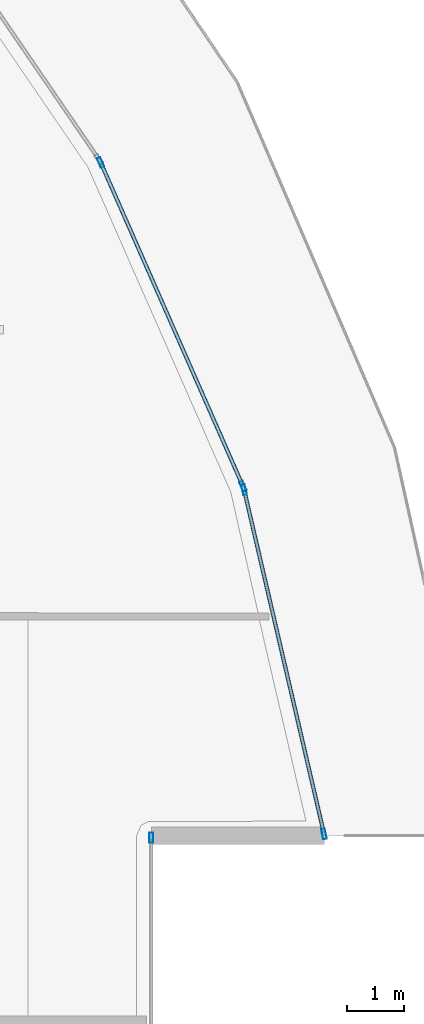
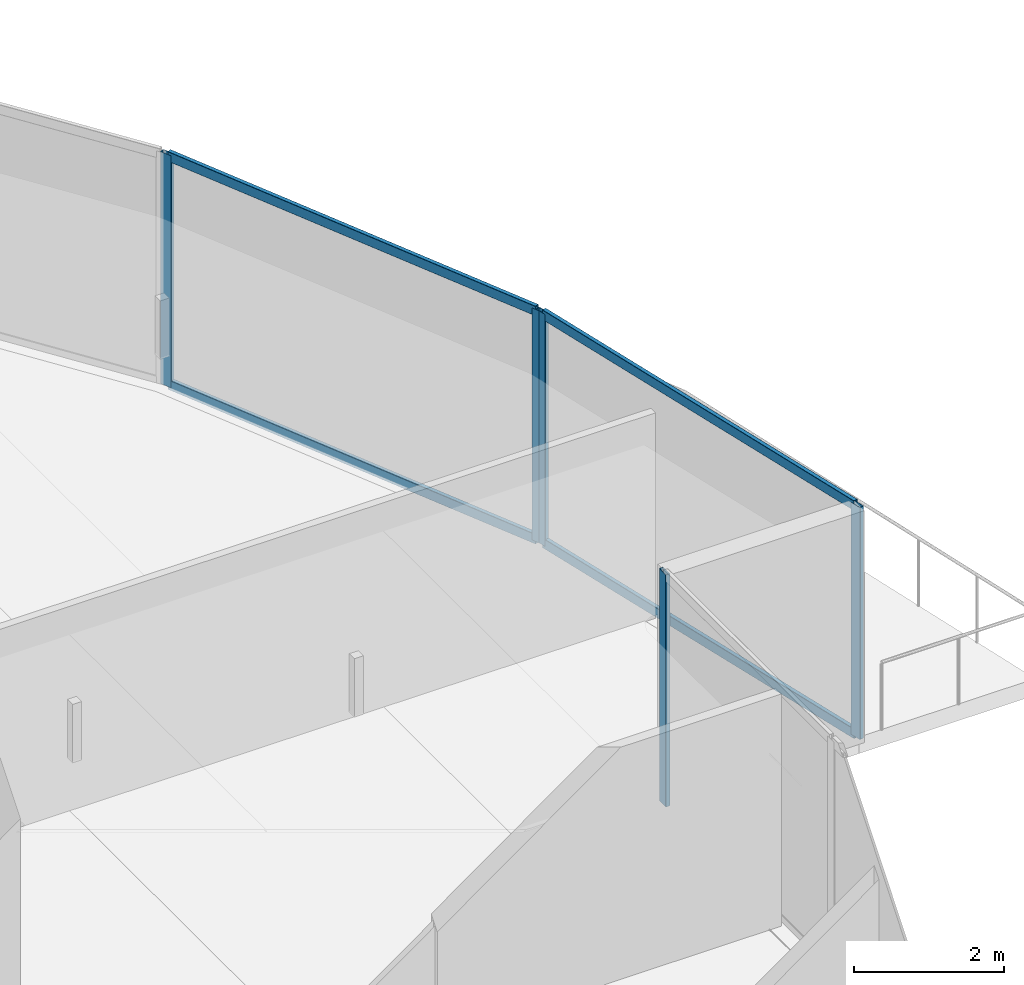
# One storey, part 20 of 36: 9 members, 3 elements without a shape of their own.
"""IFC4 building model written with IfcOpenShell, lengths in metres."""

from ifc_helpers import new_model, si_unit, direction, frame, origin, origin_2d, place, context, subcontext, project, spatial, hollow_rectangle, extrude, material, layer, layer_set, material_profile, profile_set, type_object, element, aggregate, save


model = new_model("IFC4")

# Units and contexts
model_context = context("Model", 3, precision=1e-05, world=origin(), true_north=direction((0.0, 1.0)))
body_context = subcontext(model_context, "Body", "Model", "MODEL_VIEW")
ifc_project = project(units=[si_unit("LENGTHUNIT", "METRE"), si_unit("AREAUNIT", "SQUARE_METRE"), si_unit("VOLUMEUNIT", "CUBIC_METRE"), si_unit("PLANEANGLEUNIT", "RADIAN"), si_unit("MASSUNIT", "GRAM", prefix="KILO")], contexts=[model_context])

# Site, building, storey
site_placement = place(None, origin())
site = spatial("IfcSite", under=ifc_project, at=site_placement, CompositionType="ELEMENT")
building_placement = place(site_placement, origin())
building = spatial("IfcBuilding", under=site, at=building_placement, Name="Qorvath Tower", CompositionType="ELEMENT")
storey_placement = place(building_placement, frame((0.0, 0.0, 205.050048828125)))
storey = spatial("IfcBuildingStorey", under=building, at=storey_placement, Name="L47", CompositionType="ELEMENT", Elevation=205.050048828125)

# Curtain wall, member
ifc_material_1 = material(Name="Anodised aluminium and triple low-E glass", Category="aluminium")
ifc_layer = layer(ifc_material_1, 0.179931640625)
ifc_layer_set = layer_set([ifc_layer], Name="CW-SYS-3")
curtain_wall_type = type_object("IfcCurtainWallType", Name="CW-SYS-3", PredefinedType="NOTDEFINED", material=ifc_layer_set)
curtain_wall_1_placement = place(storey_placement, origin())
curtain_wall_1 = element("IfcCurtainWall", 1, at=curtain_wall_1_placement, inside=storey, type_object=curtain_wall_type, Name="Curtain Wall CW-3 CW-T-L47-9.1", PredefinedType="NOTDEFINED")
ifc_material_2 = material(Name="Anodised aluminium 6063-T6", Category="aluminium")
ifc_material_profile_1 = material_profile(ifc_material_2, hollow_rectangle(XDim=0.06494140625, YDim=0.179931640625, WallThickness=0.00341796875, InnerFilletRadius=0.00341796875, OuterFilletRadius=0.007080078125, at=origin_2d()), Name="CWM 180x65")
ifc_profile_set_1 = profile_set([ifc_material_profile_1], Name="Anodised aluminium 6063-T6")
member_type_1 = type_object("IfcMemberType", Name="CWM-180", PredefinedType="MULLION", material=ifc_profile_set_1)
member_1_placement = place(storey_placement, frame((-1.3291015625, 4.4873046875, 0.0), z_axis=(0.0, 0.0, 1.0), x_axis=(-1.0, 0.0, 0.0)))
member_1 = element("IfcMember", 2, at=member_1_placement, type_object=member_type_1, Name="CW-3 mullion 3", PredefinedType="MULLION", context=body_context, shape_type="SweptSolid", body=[
    extrude(hollow_rectangle(XDim=0.06494140625, YDim=0.179931640625, WallThickness=0.00341796875, InnerFilletRadius=0.00341796875, OuterFilletRadius=0.007080078125, at=origin_2d()), origin(), (0.0, 0.0, 1.0), 3.780029296875),
])
aggregate(curtain_wall_1, [member_1])

# Curtain wall, members
curtain_wall_2_placement = place(storey_placement, origin())
curtain_wall_2 = element("IfcCurtainWall", 3, at=curtain_wall_2_placement, inside=storey, type_object=curtain_wall_type, Name="Curtain Wall CW-3 CW-T-L47-11.1", PredefinedType="NOTDEFINED")
member_2_placement = place(storey_placement, frame((1.6767578125, 4.551513671875, 0.0), z_axis=(0.0, 0.0, 1.0), x_axis=(-0.974064216624, -0.226271743469, 0.0)))
member_2 = element("IfcMember", 4, at=member_2_placement, type_object=member_type_1, Name="CW-3 mullion 1", PredefinedType="MULLION", context=body_context, shape_type="SweptSolid", body=[
    extrude(hollow_rectangle(XDim=0.06494140625, YDim=0.179931640625, WallThickness=0.00341796875, InnerFilletRadius=0.00341796875, OuterFilletRadius=0.007080078125, at=origin_2d()), origin(), (0.0, 0.0, 1.0), 3.780029296875),
])
member_3_placement = place(storey_placement, frame((0.28515625, 10.5419921875, 0.0), z_axis=(0.0, 0.0, 1.0), x_axis=(-0.974064216624, -0.226271743469, 0.0)))
member_3 = element("IfcMember", 5, at=member_3_placement, type_object=member_type_1, Name="CW-3 mullion 2", PredefinedType="MULLION", context=body_context, shape_type="SweptSolid", body=[
    extrude(hollow_rectangle(XDim=0.06494140625, YDim=0.179931640625, WallThickness=0.00341796875, InnerFilletRadius=0.00341796875, OuterFilletRadius=0.007080078125, at=origin_2d()), origin(), (0.0, 0.0, 1.0), 3.780029296875),
])

curtain_wall_3_placement = place(storey_placement, origin())
curtain_wall_3 = element("IfcCurtainWall", 6, at=curtain_wall_3_placement, inside=storey, type_object=curtain_wall_type, Name="Curtain Wall CW-3 CW-T-L47-12.1", PredefinedType="NOTDEFINED")
member_4_placement = place(storey_placement, frame((0.2646484375, 10.603515625, 0.0), z_axis=(0.0, 0.0, 1.0), x_axis=(-0.915498802884, -0.402320695364, 0.0)))
member_4 = element("IfcMember", 7, at=member_4_placement, type_object=member_type_1, Name="CW-3 mullion 1", PredefinedType="MULLION", context=body_context, shape_type="SweptSolid", body=[
    extrude(hollow_rectangle(XDim=0.06494140625, YDim=0.179931640625, WallThickness=0.00341796875, InnerFilletRadius=0.00341796875, OuterFilletRadius=0.007080078125, at=origin_2d()), origin(), (0.0, 0.0, 1.0), 3.780029296875),
])
member_5_placement = place(storey_placement, frame((-2.209716796875, 16.23388671875, 0.0), z_axis=(0.0, 0.0, 1.0), x_axis=(-0.915498802884, -0.402320695364, 0.0)))
member_5 = element("IfcMember", 8, at=member_5_placement, type_object=member_type_1, Name="CW-3 mullion 2", PredefinedType="MULLION", context=body_context, shape_type="SweptSolid", body=[
    extrude(hollow_rectangle(XDim=0.06494140625, YDim=0.179931640625, WallThickness=0.00341796875, InnerFilletRadius=0.00341796875, OuterFilletRadius=0.007080078125, at=origin_2d()), origin(), (0.0, 0.0, 1.0), 3.780029296875),
])

# Member
ifc_material_3 = material(Name="Anodised aluminium 6063-T6", Category="aluminium")
ifc_material_profile_2 = material_profile(ifc_material_3, hollow_rectangle(XDim=0.06494140625, YDim=0.159912109375, WallThickness=0.00341796875, InnerFilletRadius=0.00341796875, OuterFilletRadius=0.007080078125, at=origin_2d()), Name="CWT 160x65")
ifc_profile_set_2 = profile_set([ifc_material_profile_2], Name="Anodised aluminium 6063-T6")
member_type_2 = type_object("IfcMemberType", Name="CWT-160", PredefinedType="USERDEFINED", material=ifc_profile_set_2)
member_6_placement = place(storey_placement, frame((1.66943359375, 4.5830078125, 0.032470703125), z_axis=(-0.226274499404, 0.974063576426, 0.0), x_axis=(-0.974063576426, -0.226274499404, 0.0)))
member_6 = element("IfcMember", 9, at=member_6_placement, type_object=member_type_2, Name="CW-3 transom 1.1", ObjectType="TRANSOM", PredefinedType="USERDEFINED", context=body_context, shape_type="SweptSolid", body=[
    extrude(hollow_rectangle(XDim=0.06494140625, YDim=0.159912109375, WallThickness=0.00341796875, InnerFilletRadius=0.00341796875, OuterFilletRadius=0.007080078125, at=origin_2d()), origin(), (0.0, 0.0, 1.0), 6.085205078125),
])

member_7_placement = place(storey_placement, frame((1.66943359375, 4.5830078125, 3.74755859375), z_axis=(-0.226274499404, 0.974063576426, 0.0), x_axis=(-0.974063576426, -0.226274499404, 0.0)))
member_7 = element("IfcMember", 10, at=member_7_placement, type_object=member_type_2, Name="CW-3 transom 1.2", ObjectType="TRANSOM", PredefinedType="USERDEFINED", context=body_context, shape_type="SweptSolid", body=[
    extrude(hollow_rectangle(XDim=0.06494140625, YDim=0.159912109375, WallThickness=0.00341796875, InnerFilletRadius=0.00341796875, OuterFilletRadius=0.007080078125, at=origin_2d()), origin(), (0.0, 0.0, 1.0), 6.085205078125),
])

aggregate(curtain_wall_2, [member_2, member_3, member_6, member_7])

member_8_placement = place(storey_placement, frame((0.251708984375, 10.63330078125, 0.032470703125), z_axis=(-0.402337899002, 0.915491242463, 0.0), x_axis=(-0.915491242463, -0.402337899002, 0.0)))
member_8 = element("IfcMember", 11, at=member_8_placement, type_object=member_type_2, Name="CW-3 transom 1.1", ObjectType="TRANSOM", PredefinedType="USERDEFINED", context=body_context, shape_type="SweptSolid", body=[
    extrude(hollow_rectangle(XDim=0.06494140625, YDim=0.159912109375, WallThickness=0.00341796875, InnerFilletRadius=0.00341796875, OuterFilletRadius=0.007080078125, at=origin_2d()), origin(), (0.0, 0.0, 1.0), 6.0849609375),
])

member_9_placement = place(storey_placement, frame((0.251708984375, 10.63330078125, 3.74755859375), z_axis=(-0.402337899002, 0.915491242463, 0.0), x_axis=(-0.915491242463, -0.402337899002, 0.0)))
member_9 = element("IfcMember", 12, at=member_9_placement, type_object=member_type_2, Name="CW-3 transom 1.2", ObjectType="TRANSOM", PredefinedType="USERDEFINED", context=body_context, shape_type="SweptSolid", body=[
    extrude(hollow_rectangle(XDim=0.06494140625, YDim=0.159912109375, WallThickness=0.00341796875, InnerFilletRadius=0.00341796875, OuterFilletRadius=0.007080078125, at=origin_2d()), origin(), (0.0, 0.0, 1.0), 6.0849609375),
])

aggregate(curtain_wall_3, [member_4, member_5, member_8, member_9])

save(model, "model.ifc")
